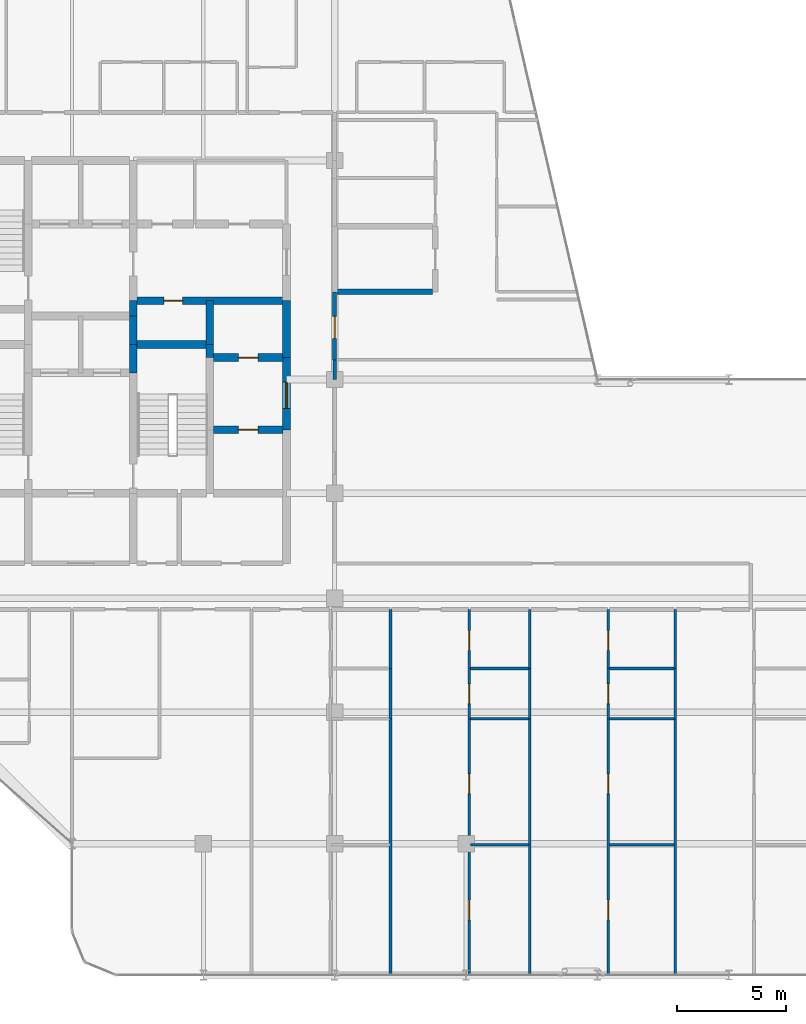
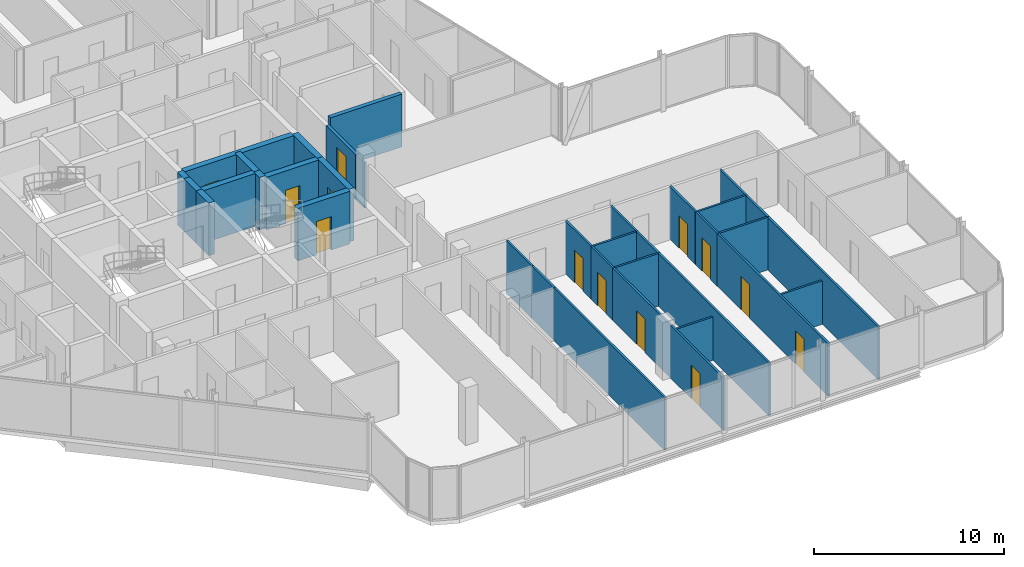
# One storey, part 25 of 29: 35 walls, 13 doors, 13 openings.
"""IFC4 building model written with IfcOpenShell, lengths in metres."""

from ifc_helpers import new_model, si_unit, direction, frame, frame_2d, origin, place, context, subcontext, project, spatial, rectangle, extrude, material, layer, layer_set, type_object, element, fill, save


model = new_model("IFC4")

# Units and contexts
model_context = context("Model", 3, precision=1e-05, world=origin(), true_north=direction((0.0, 1.0)))
body_context = subcontext(model_context, "Body", "Model", "MODEL_VIEW")
ifc_project = project(units=[si_unit("LENGTHUNIT", "METRE"), si_unit("AREAUNIT", "SQUARE_METRE"), si_unit("VOLUMEUNIT", "CUBIC_METRE"), si_unit("PLANEANGLEUNIT", "RADIAN"), si_unit("MASSUNIT", "GRAM", prefix="KILO")], contexts=[model_context])

# Site, building, storey
site_placement = place(None, origin())
site = spatial("IfcSite", under=ifc_project, at=site_placement, CompositionType="ELEMENT")
building_placement = place(site_placement, origin())
building = spatial("IfcBuilding", under=site, at=building_placement, Name="Keshet Zoharim Tower", CompositionType="ELEMENT")
storey_placement = place(building_placement, frame((0.0, 0.0, 222.800048828125)))
storey = spatial("IfcBuildingStorey", under=building, at=storey_placement, Name="L55", CompositionType="ELEMENT", Elevation=222.800048828125)

# Walls
ifc_material_1 = material(Name="Gypsum Plasterboard", Category="gypsum")
ifc_layer_1 = layer(ifc_material_1, 0.14990234375)
ifc_layer_set_1 = layer_set([ifc_layer_1], Name="Gypsum Plasterboard")
wall_type_1 = type_object("IfcWallType", Name="WL-CLIN-150", PredefinedType="STANDARD", material=ifc_layer_set_1)
wall_1_placement = place(storey_placement, frame((33.0, 27.89990234375, 0.0), z_axis=(0.0, 0.0, 1.0), x_axis=(0.0, 1.0, 0.0)))
element("IfcWall", 1, at=wall_1_placement, inside=storey, type_object=wall_type_1, Name="L55 Interior Wall 069 Part 2", PredefinedType="STANDARD", context=body_context, shape_type="SweptSolid", body=[
    extrude(rectangle(XDim=0.89013671875, YDim=0.14990234375, at=frame_2d((0.445068359375, 0.0))), origin(), (0.0, 0.0, 1.0), 2.889892578125),
])
ifc_material_2 = material(Name="Concrete C60/75", Category="concrete")
ifc_layer_2 = layer(ifc_material_2, 0.35009765625)
ifc_layer_set_2 = layer_set([ifc_layer_2], Name="Concrete C60/75")
wall_type_2 = type_object("IfcWallType", Name="WL-CORE-350", PredefinedType="SHEAR", material=ifc_layer_set_2)
for number, where, z_axis, x_axis, name in (
    (2, (23.800048828125, 28.199951171875, 0.0), (0.0, 0.0, 1.0), (0.0, 1.0, 0.0), "L55 Core Shear Wall 040"),
    (3, (23.800048828125, 29.5, 0.0), (0.0, 0.0, 1.0), (0.0, 1.0, 0.0), "L55 Core Shear Wall 041"),
):
    element("IfcWall", number, at=place(storey_placement, frame(where, z_axis=z_axis, x_axis=x_axis)), inside=storey, type_object=wall_type_2, Name=name, PredefinedType="SHEAR", context=body_context, shape_type="SweptSolid", body=[
        extrude(rectangle(XDim=1.300048828125, YDim=0.35009765625, at=frame_2d((0.64990234375, 0.0))), origin(), (0.0, 0.0, 1.0), 3.389892578125),
    ])
wall_2_placement = place(storey_placement, frame((23.800048828125, 30.800048828125, 0.0), z_axis=(0.0, 0.0, 1.0), x_axis=(0.0, 1.0, 0.0)))
element("IfcWall", 4, at=wall_2_placement, inside=storey, type_object=wall_type_2, Name="L55 Core Shear Wall 042", PredefinedType="SHEAR", context=body_context, shape_type="SweptSolid", body=[
    extrude(rectangle(XDim=0.699951171875, YDim=0.35009765625, at=frame_2d((0.35009765625, 0.0))), origin(), (0.0, 0.0, 1.0), 3.389892578125),
])
wall_3_placement = place(storey_placement, frame((27.300048828125, 28.89990234375, 0.0), z_axis=(0.0, 0.0, 1.0), x_axis=(0.0, 1.0, 0.0)))
element("IfcWall", 5, at=wall_3_placement, inside=storey, type_object=wall_type_2, Name="L55 Core Shear Wall 052", PredefinedType="SHEAR", context=body_context, shape_type="SweptSolid", body=[
    extrude(rectangle(XDim=0.60009765625, YDim=0.35009765625, at=frame_2d((0.300048828125, 0.0))), origin(), (0.0, 0.0, 1.0), 3.389892578125),
])
wall_4_placement = place(storey_placement, frame((27.300048828125, 29.5, 0.0), z_axis=(0.0, 0.0, 1.0), x_axis=(0.0, 1.0, 0.0)))
element("IfcWall", 6, at=wall_4_placement, inside=storey, type_object=wall_type_2, Name="L55 Core Shear Wall 053", PredefinedType="SHEAR", context=body_context, shape_type="SweptSolid", body=[
    extrude(rectangle(XDim=2.0, YDim=0.35009765625, at=frame_2d((1.0, 0.0))), origin(), (0.0, 0.0, 1.0), 3.389892578125),
])

# Wall, opening, door
wall_5_placement = place(storey_placement, frame((30.800048828125, 25.60009765625, 0.0), z_axis=(0.0, 0.0, 1.0), x_axis=(0.0, 1.0, 0.0)))
wall_5 = element("IfcWall", 7, at=wall_5_placement, inside=storey, type_object=wall_type_2, Name="L55 Core Shear Wall 061", PredefinedType="SHEAR", context=body_context, shape_type="SweptSolid", body=[
    extrude(rectangle(XDim=3.2998046875, YDim=0.35009765625, at=frame_2d((1.64990234375, 0.0))), origin(), (0.0, 0.0, 1.0), 3.389892578125),
])
opening_1_placement = place(wall_5_placement, frame((0.97802734375, 0.0, 0.0)))
opening_1 = element("IfcOpeningElement", 8, at=opening_1_placement, cuts=wall_5, Name="Opening D-F612", PredefinedType="OPENING", context=body_context, shape_type="SweptSolid", body=[
    extrude(rectangle(XDim=1.199951171875, YDim=2.199951171875, at=frame_2d((0.60009765625, 1.10009765625))), frame((0.0, 0.18505859375, 0.0), z_axis=(0.0, -1.0, 0.0), x_axis=(1.0, 0.0, 0.0)), (0.0, 0.0, 1.0), 0.3701171875),
])
ifc_material_3 = material(Name="Hardwood Timber", Category="wood")
door_type_1 = type_object("IfcDoorType", Name="DR-FD60-120", OperationType="NOTDEFINED", PredefinedType="DOOR", material=ifc_material_3)
door_1_placement = place(opening_1_placement, origin())
door_1 = element("IfcDoor", 9, at=door_1_placement, inside=storey, type_object=door_type_1, Name="L55 East Lift Lobby Fire Door", OperationType="SINGLE_SWING_LEFT", OverallHeight=2.199951171875, OverallWidth=1.199951171875, PredefinedType="DOOR", context=body_context, shape_type="SweptSolid", body=[
    extrude(rectangle(XDim=1.199951171875, YDim=2.199951171875, at=frame_2d((0.60009765625, 1.10009765625))), frame((0.0, 0.02490234375, 0.0), z_axis=(0.0, -1.0, 0.0), x_axis=(1.0, 0.0, 0.0)), (0.0, 0.0, 1.0), 0.050048828125),
])
fill(opening_1, door_1)

# Wall
wall_6_placement = place(storey_placement, frame((30.800048828125, 28.89990234375, 0.0), z_axis=(0.0, 0.0, 1.0), x_axis=(0.0, 1.0, 0.0)))
element("IfcWall", 10, at=wall_6_placement, inside=storey, type_object=wall_type_2, Name="L55 Core Shear Wall 062", PredefinedType="SHEAR", context=body_context, shape_type="SweptSolid", body=[
    extrude(rectangle(XDim=2.60009765625, YDim=0.35009765625, at=frame_2d((1.300048828125, 0.0))), origin(), (0.0, 0.0, 1.0), 3.389892578125),
])

# Wall, opening, door
wall_7_placement = place(storey_placement, frame((27.4599609375, 25.60009765625, 0.0), z_axis=(0.0, 0.0, 1.0), x_axis=(1.0, 0.0, 0.0)))
wall_7 = element("IfcWall", 11, at=wall_7_placement, inside=storey, type_object=wall_type_2, Name="L55 Core Shear Wall 149", PredefinedType="SHEAR", context=body_context, shape_type="SweptSolid", body=[
    extrude(rectangle(XDim=3.179931640625, YDim=0.35009765625, at=frame_2d((1.58984375, 0.0))), origin(), (0.0, 0.0, 1.0), 3.389892578125),
])
opening_2_placement = place(wall_7_placement, frame((1.139892578125, 0.0, 0.0)))
opening_2 = element("IfcOpeningElement", 12, at=opening_2_placement, cuts=wall_7, Name="Opening D-F690", PredefinedType="OPENING", context=body_context, shape_type="SweptSolid", body=[
    extrude(rectangle(XDim=0.89990234375, YDim=2.14990234375, at=frame_2d((0.449951171875, 1.074951171875))), frame((0.0, 0.18505859375, 0.0), z_axis=(0.0, -1.0, 0.0), x_axis=(1.0, 0.0, 0.0)), (0.0, 0.0, 1.0), 0.3701171875),
])
door_type_2 = type_object("IfcDoorType", Name="DR-FD60-090", OperationType="NOTDEFINED", PredefinedType="DOOR", material=ifc_material_3)
door_2_placement = place(opening_2_placement, origin())
door_2 = element("IfcDoor", 13, at=door_2_placement, inside=storey, type_object=door_type_2, Name="L55 Mid-Rise South Overrun Door", OperationType="SINGLE_SWING_LEFT", OverallHeight=2.14990234375, OverallWidth=0.89990234375, PredefinedType="DOOR", context=body_context, shape_type="SweptSolid", body=[
    extrude(rectangle(XDim=0.89990234375, YDim=2.14990234375, at=frame_2d((0.449951171875, 1.074951171875))), frame((0.0, 0.02490234375, 0.0), z_axis=(0.0, -1.0, 0.0), x_axis=(1.0, 0.0, 0.0)), (0.0, 0.0, 1.0), 0.050048828125),
])
fill(opening_2, door_2)

wall_8_placement = place(storey_placement, frame((27.4599609375, 28.89990234375, 0.0), z_axis=(0.0, 0.0, 1.0), x_axis=(1.0, 0.0, 0.0)))
wall_8 = element("IfcWall", 14, at=wall_8_placement, inside=storey, type_object=wall_type_2, Name="L55 Core Shear Wall 156", PredefinedType="SHEAR", context=body_context, shape_type="SweptSolid", body=[
    extrude(rectangle(XDim=3.179931640625, YDim=0.35009765625, at=frame_2d((1.58984375, 0.0))), origin(), (0.0, 0.0, 1.0), 3.389892578125),
])
opening_3_placement = place(wall_8_placement, frame((1.139892578125, 0.0, 0.0)))
opening_3 = element("IfcOpeningElement", 15, at=opening_3_placement, cuts=wall_8, Name="Opening D-F690", PredefinedType="OPENING", context=body_context, shape_type="SweptSolid", body=[
    extrude(rectangle(XDim=0.89990234375, YDim=2.14990234375, at=frame_2d((0.449951171875, 1.074951171875))), frame((0.0, 0.18505859375, 0.0), z_axis=(0.0, -1.0, 0.0), x_axis=(1.0, 0.0, 0.0)), (0.0, 0.0, 1.0), 0.3701171875),
])
door_3_placement = place(opening_3_placement, frame((0.89990234375, 0.0, 0.0), z_axis=(0.0, 0.0, 1.0), x_axis=(-1.0, 0.0, 0.0)))
door_3 = element("IfcDoor", 16, at=door_3_placement, inside=storey, type_object=door_type_2, Name="L55 Mid-Rise North Overrun Door", OperationType="SINGLE_SWING_RIGHT", OverallHeight=2.14990234375, OverallWidth=0.89990234375, PredefinedType="DOOR", context=body_context, shape_type="SweptSolid", body=[
    extrude(rectangle(XDim=0.89990234375, YDim=2.14990234375, at=frame_2d((0.449951171875, 1.074951171875))), frame((0.0, 0.02490234375, 0.0), z_axis=(0.0, -1.0, 0.0), x_axis=(1.0, 0.0, 0.0)), (0.0, 0.0, 1.0), 0.050048828125),
])
fill(opening_3, door_3)

# Wall
wall_9_placement = place(storey_placement, frame((23.9599609375, 29.5, 0.0), z_axis=(0.0, 0.0, 1.0), x_axis=(1.0, 0.0, 0.0)))
element("IfcWall", 17, at=wall_9_placement, inside=storey, type_object=wall_type_2, Name="L55 Core Shear Wall 160", PredefinedType="SHEAR", context=body_context, shape_type="SweptSolid", body=[
    extrude(rectangle(XDim=3.179931640625, YDim=0.35009765625, at=frame_2d((1.58984375, 0.0))), origin(), (0.0, 0.0, 1.0), 3.389892578125),
])

# Wall, opening, door
wall_10_placement = place(storey_placement, frame((23.9599609375, 31.5, 0.0), z_axis=(0.0, 0.0, 1.0), x_axis=(1.0, 0.0, 0.0)))
wall_10 = element("IfcWall", 18, at=wall_10_placement, inside=storey, type_object=wall_type_2, Name="L55 Core Shear Wall 163", PredefinedType="SHEAR", context=body_context, shape_type="SweptSolid", body=[
    extrude(rectangle(XDim=6.679931640625, YDim=0.35009765625, at=frame_2d((3.33984375, 0.0))), origin(), (0.0, 0.0, 1.0), 3.389892578125),
])
opening_4_placement = place(wall_10_placement, frame((1.239990234375, 0.0, 0.0)))
opening_4 = element("IfcOpeningElement", 19, at=opening_4_placement, cuts=wall_10, Name="Opening D-RS85", PredefinedType="OPENING", context=body_context, shape_type="SweptSolid", body=[
    extrude(rectangle(XDim=0.85009765625, YDim=2.10009765625, at=frame_2d((0.425048828125, 1.050048828125))), frame((0.0, 0.18505859375, 0.0), z_axis=(0.0, -1.0, 0.0), x_axis=(1.0, 0.0, 0.0)), (0.0, 0.0, 1.0), 0.3701171875),
])
door_type_3 = type_object("IfcDoorType", Name="DR-RIS-085", OperationType="NOTDEFINED", PredefinedType="DOOR", material=ifc_material_3)
door_4_placement = place(opening_4_placement, origin())
door_4 = element("IfcDoor", 20, at=door_4_placement, inside=storey, type_object=door_type_3, Name="L55 Telecom Riser Access Cupboard Door", OperationType="SINGLE_SWING_LEFT", OverallHeight=2.10009765625, OverallWidth=0.85009765625, PredefinedType="DOOR", context=body_context, shape_type="SweptSolid", body=[
    extrude(rectangle(XDim=0.85009765625, YDim=2.10009765625, at=frame_2d((0.425048828125, 1.050048828125))), frame((0.0, 0.02490234375, 0.0), z_axis=(0.0, -1.0, 0.0), x_axis=(1.0, 0.0, 0.0)), (0.0, 0.0, 1.0), 0.050048828125),
])
fill(opening_4, door_4)

ifc_layer_3 = layer(ifc_material_1, 0.179931640625)
ifc_layer_set_3 = layer_set([ifc_layer_3], Name="Gypsum Plasterboard")
wall_type_3 = type_object("IfcWallType", Name="WL-CORR-180", PredefinedType="STANDARD", material=ifc_layer_set_3)
wall_11_placement = place(storey_placement, frame((33.0, 28.800048828125, 0.0), z_axis=(0.0, 0.0, 1.0), x_axis=(0.0, 1.0, 0.0)))
wall_11 = element("IfcWall", 21, at=wall_11_placement, inside=storey, type_object=wall_type_3, Name="L55 Interior Wall 070", PredefinedType="STANDARD", context=body_context, shape_type="SweptSolid", body=[
    extrude(rectangle(XDim=3.099853515625, YDim=0.179931640625, at=frame_2d((1.5498046875, 0.0))), origin(), (0.0, 0.0, 1.0), 2.889892578125),
])
opening_5_placement = place(wall_11_placement, frame((0.97802734375, 0.0, 0.0)))
opening_5 = element("IfcOpeningElement", 22, at=opening_5_placement, cuts=wall_11, Name="Opening D-F310", PredefinedType="OPENING", context=body_context, shape_type="SweptSolid", body=[
    extrude(rectangle(XDim=1.0, YDim=2.14990234375, at=frame_2d((0.5, 1.074951171875))), frame((0.0, 0.10009765625, 0.0), z_axis=(0.0, -1.0, 0.0), x_axis=(1.0, 0.0, 0.0)), (0.0, 0.0, 1.0), 0.199951171875),
])
door_type_4 = type_object("IfcDoorType", Name="DR-FD30-100", OperationType="NOTDEFINED", PredefinedType="DOOR", material=ifc_material_3)
door_5_placement = place(opening_5_placement, origin())
door_5 = element("IfcDoor", 23, at=door_5_placement, inside=storey, type_object=door_type_4, Name="Apartment 5511 Entrance Door", OperationType="SINGLE_SWING_RIGHT", OverallHeight=2.14990234375, OverallWidth=1.0, PredefinedType="DOOR", context=body_context, shape_type="SweptSolid", body=[
    extrude(rectangle(XDim=1.0, YDim=2.14990234375, at=frame_2d((0.5, 1.074951171875))), frame((0.0, 0.02490234375, 0.0), z_axis=(0.0, -1.0, 0.0), x_axis=(1.0, 0.0, 0.0)), (0.0, 0.0, 1.0), 0.050048828125),
])
fill(opening_5, door_5)

# Walls
ifc_material_4 = material(Name="Concrete C50/60", Category="concrete")
ifc_layer_4 = layer(ifc_material_4, 0.25)
ifc_layer_set_4 = layer_set([ifc_layer_4], Name="Concrete C50/60")
wall_type_4 = type_object("IfcWallType", Name="WL-MAMAD-250", PredefinedType="STANDARD", material=ifc_layer_set_4)
wall_12_placement = place(storey_placement, frame((33.110107421875, 31.89990234375, 0.0), z_axis=(0.0, 0.0, 1.0), x_axis=(1.0, 0.0, 0.0)))
element("IfcWall", 24, at=wall_12_placement, inside=storey, type_object=wall_type_4, Name="L55 Interior Wall 165", PredefinedType="STANDARD", context=body_context, shape_type="SweptSolid", body=[
    extrude(rectangle(XDim=4.35986328125, YDim=0.25, at=frame_2d((2.179931640625, 0.0))), origin(), (0.0, 0.0, 1.0), 3.389892578125),
])
ifc_layer_5 = layer(ifc_material_1, 0.1201171875)
ifc_layer_set_5 = layer_set([ifc_layer_5], Name="Gypsum Plasterboard")
wall_type_5 = type_object("IfcWallType", Name="WL-PART-120", PredefinedType="PARTITIONING", material=ifc_layer_set_5)
wall_13_placement = place(storey_placement, frame((35.550048828125, 0.7099609375, 0.0), z_axis=(0.0, 0.0, 1.0), x_axis=(0.0, 1.0, 0.0)))
element("IfcWall", 25, at=wall_13_placement, inside=storey, type_object=wall_type_5, Name="L55 Interior Wall 078", PredefinedType="PARTITIONING", context=body_context, shape_type="SweptSolid", body=[
    extrude(rectangle(XDim=11.68994140625, YDim=0.1201171875, at=frame_2d((5.844970703125, 0.0))), origin(), (0.0, 0.0, 1.0), 3.389892578125),
])
wall_14_placement = place(storey_placement, frame((35.550048828125, 12.39990234375, 0.0), z_axis=(0.0, 0.0, 1.0), x_axis=(0.0, 1.0, 0.0)))
element("IfcWall", 26, at=wall_14_placement, inside=storey, type_object=wall_type_5, Name="L55 Interior Wall 079", PredefinedType="PARTITIONING", context=body_context, shape_type="SweptSolid", body=[
    extrude(rectangle(XDim=2.300048828125, YDim=0.1201171875, at=frame_2d((1.14990234375, 0.0))), origin(), (0.0, 0.0, 1.0), 3.389892578125),
])

# Wall, openings, doors
wall_15_placement = place(storey_placement, frame((39.14990234375, 0.7099609375, 0.0), z_axis=(0.0, 0.0, 1.0), x_axis=(0.0, 1.0, 0.0)))
wall_15 = element("IfcWall", 27, at=wall_15_placement, inside=storey, type_object=wall_type_5, Name="L55 Interior Wall 086", PredefinedType="PARTITIONING", context=body_context, shape_type="SweptSolid", body=[
    extrude(rectangle(XDim=11.68994140625, YDim=0.1201171875, at=frame_2d((5.844970703125, 0.0))), origin(), (0.0, 0.0, 1.0), 3.389892578125),
])
opening_6_placement = place(wall_15_placement, frame((2.513916015625, 0.0, 0.0)))
opening_6 = element("IfcOpeningElement", 28, at=opening_6_placement, cuts=wall_15, Name="Opening D-IN90", PredefinedType="OPENING", context=body_context, shape_type="SweptSolid", body=[
    extrude(rectangle(XDim=0.89990234375, YDim=2.14990234375, at=frame_2d((0.449951171875, 1.074951171875))), frame((0.0, 0.070068359375, 0.0), z_axis=(0.0, -1.0, 0.0), x_axis=(1.0, 0.0, 0.0)), (0.0, 0.0, 1.0), 0.14013671875),
])
opening_7_placement = place(wall_15_placement, frame((8.280029296875, 0.0, 0.0)))
opening_7 = element("IfcOpeningElement", 29, at=opening_7_placement, cuts=wall_15, Name="Opening D-IN90", PredefinedType="OPENING", context=body_context, shape_type="SweptSolid", body=[
    extrude(rectangle(XDim=0.89990234375, YDim=2.14990234375, at=frame_2d((0.449951171875, 1.074951171875))), frame((0.0, 0.070068359375, 0.0), z_axis=(0.0, -1.0, 0.0), x_axis=(1.0, 0.0, 0.0)), (0.0, 0.0, 1.0), 0.14013671875),
])
door_type_5 = type_object("IfcDoorType", Name="DR-INT-090", OperationType="NOTDEFINED", PredefinedType="DOOR", material=ifc_material_3)
door_6_placement = place(opening_6_placement, origin())
door_6 = element("IfcDoor", 30, at=door_6_placement, inside=storey, type_object=door_type_5, Name="Apartment 5503 Bedroom 1 Door", OperationType="SINGLE_SWING_RIGHT", OverallHeight=2.14990234375, OverallWidth=0.89990234375, PredefinedType="DOOR", context=body_context, shape_type="SweptSolid", body=[
    extrude(rectangle(XDim=0.89990234375, YDim=2.14990234375, at=frame_2d((0.449951171875, 1.074951171875))), frame((0.0, 0.02490234375, 0.0), z_axis=(0.0, -1.0, 0.0), x_axis=(1.0, 0.0, 0.0)), (0.0, 0.0, 1.0), 0.050048828125),
])
fill(opening_6, door_6)
door_7_placement = place(opening_7_placement, origin())
door_7 = element("IfcDoor", 31, at=door_7_placement, inside=storey, type_object=door_type_5, Name="Apartment 5503 Bedroom 2 Door", OperationType="SINGLE_SWING_LEFT", OverallHeight=2.14990234375, OverallWidth=0.89990234375, PredefinedType="DOOR", context=body_context, shape_type="SweptSolid", body=[
    extrude(rectangle(XDim=0.89990234375, YDim=2.14990234375, at=frame_2d((0.449951171875, 1.074951171875))), frame((0.0, 0.02490234375, 0.0), z_axis=(0.0, -1.0, 0.0), x_axis=(1.0, 0.0, 0.0)), (0.0, 0.0, 1.0), 0.050048828125),
])
fill(opening_7, door_7)

# Wall, opening, door
wall_16_placement = place(storey_placement, frame((39.14990234375, 12.39990234375, 0.0), z_axis=(0.0, 0.0, 1.0), x_axis=(0.0, 1.0, 0.0)))
wall_16 = element("IfcWall", 32, at=wall_16_placement, inside=storey, type_object=wall_type_5, Name="L55 Interior Wall 087", PredefinedType="PARTITIONING", context=body_context, shape_type="SweptSolid", body=[
    extrude(rectangle(XDim=2.300048828125, YDim=0.1201171875, at=frame_2d((1.14990234375, 0.0))), origin(), (0.0, 0.0, 1.0), 3.389892578125),
])
opening_8_placement = place(wall_16_placement, frame((0.699951171875, 0.0, 0.0)))
opening_8 = element("IfcOpeningElement", 33, at=opening_8_placement, cuts=wall_16, Name="Opening D-IN90", PredefinedType="OPENING", context=body_context, shape_type="SweptSolid", body=[
    extrude(rectangle(XDim=0.89990234375, YDim=2.14990234375, at=frame_2d((0.449951171875, 1.074951171875))), frame((0.0, 0.070068359375, 0.0), z_axis=(0.0, -1.0, 0.0), x_axis=(1.0, 0.0, 0.0)), (0.0, 0.0, 1.0), 0.14013671875),
])
door_8_placement = place(opening_8_placement, origin())
door_8 = element("IfcDoor", 34, at=door_8_placement, inside=storey, type_object=door_type_5, Name="Apartment 5503 Kitchen Door", OperationType="SINGLE_SWING_RIGHT", OverallHeight=2.14990234375, OverallWidth=0.89990234375, PredefinedType="DOOR", context=body_context, shape_type="SweptSolid", body=[
    extrude(rectangle(XDim=0.89990234375, YDim=2.14990234375, at=frame_2d((0.449951171875, 1.074951171875))), frame((0.0, 0.02490234375, 0.0), z_axis=(0.0, -1.0, 0.0), x_axis=(1.0, 0.0, 0.0)), (0.0, 0.0, 1.0), 0.050048828125),
])
fill(opening_8, door_8)

# Walls
wall_17_placement = place(storey_placement, frame((41.89990234375, 0.7099609375, 0.0), z_axis=(0.0, 0.0, 1.0), x_axis=(0.0, 1.0, 0.0)))
element("IfcWall", 35, at=wall_17_placement, inside=storey, type_object=wall_type_5, Name="L55 Interior Wall 092", PredefinedType="PARTITIONING", context=body_context, shape_type="SweptSolid", body=[
    extrude(rectangle(XDim=11.68994140625, YDim=0.1201171875, at=frame_2d((5.844970703125, 0.0))), origin(), (0.0, 0.0, 1.0), 3.389892578125),
])
wall_18_placement = place(storey_placement, frame((41.89990234375, 12.39990234375, 0.0), z_axis=(0.0, 0.0, 1.0), x_axis=(0.0, 1.0, 0.0)))
element("IfcWall", 36, at=wall_18_placement, inside=storey, type_object=wall_type_5, Name="L55 Interior Wall 093", PredefinedType="PARTITIONING", context=body_context, shape_type="SweptSolid", body=[
    extrude(rectangle(XDim=2.300048828125, YDim=0.1201171875, at=frame_2d((1.14990234375, 0.0))), origin(), (0.0, 0.0, 1.0), 3.389892578125),
])

# Wall, openings, doors
wall_19_placement = place(storey_placement, frame((45.5, 0.7099609375, 0.0), z_axis=(0.0, 0.0, 1.0), x_axis=(0.0, 1.0, 0.0)))
wall_19 = element("IfcWall", 37, at=wall_19_placement, inside=storey, type_object=wall_type_5, Name="L55 Interior Wall 095", PredefinedType="PARTITIONING", context=body_context, shape_type="SweptSolid", body=[
    extrude(rectangle(XDim=11.68994140625, YDim=0.1201171875, at=frame_2d((5.844970703125, 0.0))), origin(), (0.0, 0.0, 1.0), 3.389892578125),
])
opening_9_placement = place(wall_19_placement, frame((2.513916015625, 0.0, 0.0)))
opening_9 = element("IfcOpeningElement", 38, at=opening_9_placement, cuts=wall_19, Name="Opening D-IN90", PredefinedType="OPENING", context=body_context, shape_type="SweptSolid", body=[
    extrude(rectangle(XDim=0.89990234375, YDim=2.14990234375, at=frame_2d((0.449951171875, 1.074951171875))), frame((0.0, 0.070068359375, 0.0), z_axis=(0.0, -1.0, 0.0), x_axis=(1.0, 0.0, 0.0)), (0.0, 0.0, 1.0), 0.14013671875),
])
opening_10_placement = place(wall_19_placement, frame((8.280029296875, 0.0, 0.0)))
opening_10 = element("IfcOpeningElement", 39, at=opening_10_placement, cuts=wall_19, Name="Opening D-IN90", PredefinedType="OPENING", context=body_context, shape_type="SweptSolid", body=[
    extrude(rectangle(XDim=0.89990234375, YDim=2.14990234375, at=frame_2d((0.449951171875, 1.074951171875))), frame((0.0, 0.070068359375, 0.0), z_axis=(0.0, -1.0, 0.0), x_axis=(1.0, 0.0, 0.0)), (0.0, 0.0, 1.0), 0.14013671875),
])
door_9_placement = place(opening_9_placement, origin())
door_9 = element("IfcDoor", 40, at=door_9_placement, inside=storey, type_object=door_type_5, Name="Apartment 5504 Bedroom 1 Door", OperationType="SINGLE_SWING_RIGHT", OverallHeight=2.14990234375, OverallWidth=0.89990234375, PredefinedType="DOOR", context=body_context, shape_type="SweptSolid", body=[
    extrude(rectangle(XDim=0.89990234375, YDim=2.14990234375, at=frame_2d((0.449951171875, 1.074951171875))), frame((0.0, 0.02490234375, 0.0), z_axis=(0.0, -1.0, 0.0), x_axis=(1.0, 0.0, 0.0)), (0.0, 0.0, 1.0), 0.050048828125),
])
fill(opening_9, door_9)
door_10_placement = place(opening_10_placement, origin())
door_10 = element("IfcDoor", 41, at=door_10_placement, inside=storey, type_object=door_type_5, Name="Apartment 5504 Bedroom 2 Door", OperationType="SINGLE_SWING_LEFT", OverallHeight=2.14990234375, OverallWidth=0.89990234375, PredefinedType="DOOR", context=body_context, shape_type="SweptSolid", body=[
    extrude(rectangle(XDim=0.89990234375, YDim=2.14990234375, at=frame_2d((0.449951171875, 1.074951171875))), frame((0.0, 0.02490234375, 0.0), z_axis=(0.0, -1.0, 0.0), x_axis=(1.0, 0.0, 0.0)), (0.0, 0.0, 1.0), 0.050048828125),
])
fill(opening_10, door_10)

# Wall, opening, door
wall_20_placement = place(storey_placement, frame((45.5, 12.39990234375, 0.0), z_axis=(0.0, 0.0, 1.0), x_axis=(0.0, 1.0, 0.0)))
wall_20 = element("IfcWall", 42, at=wall_20_placement, inside=storey, type_object=wall_type_5, Name="L55 Interior Wall 096", PredefinedType="PARTITIONING", context=body_context, shape_type="SweptSolid", body=[
    extrude(rectangle(XDim=2.300048828125, YDim=0.1201171875, at=frame_2d((1.14990234375, 0.0))), origin(), (0.0, 0.0, 1.0), 3.389892578125),
])
opening_11_placement = place(wall_20_placement, frame((0.699951171875, 0.0, 0.0)))
opening_11 = element("IfcOpeningElement", 43, at=opening_11_placement, cuts=wall_20, Name="Opening D-IN90", PredefinedType="OPENING", context=body_context, shape_type="SweptSolid", body=[
    extrude(rectangle(XDim=0.89990234375, YDim=2.14990234375, at=frame_2d((0.449951171875, 1.074951171875))), frame((0.0, 0.070068359375, 0.0), z_axis=(0.0, -1.0, 0.0), x_axis=(1.0, 0.0, 0.0)), (0.0, 0.0, 1.0), 0.14013671875),
])
door_11_placement = place(opening_11_placement, origin())
door_11 = element("IfcDoor", 44, at=door_11_placement, inside=storey, type_object=door_type_5, Name="Apartment 5504 Kitchen Door", OperationType="SINGLE_SWING_RIGHT", OverallHeight=2.14990234375, OverallWidth=0.89990234375, PredefinedType="DOOR", context=body_context, shape_type="SweptSolid", body=[
    extrude(rectangle(XDim=0.89990234375, YDim=2.14990234375, at=frame_2d((0.449951171875, 1.074951171875))), frame((0.0, 0.02490234375, 0.0), z_axis=(0.0, -1.0, 0.0), x_axis=(1.0, 0.0, 0.0)), (0.0, 0.0, 1.0), 0.050048828125),
])
fill(opening_11, door_11)

# Walls
wall_21_placement = place(storey_placement, frame((48.550048828125, 0.7099609375, 0.0), z_axis=(0.0, 0.0, 1.0), x_axis=(0.0, 1.0, 0.0)))
element("IfcWall", 45, at=wall_21_placement, inside=storey, type_object=wall_type_5, Name="L55 Interior Wall 098", PredefinedType="PARTITIONING", context=body_context, shape_type="SweptSolid", body=[
    extrude(rectangle(XDim=11.68994140625, YDim=0.1201171875, at=frame_2d((5.844970703125, 0.0))), origin(), (0.0, 0.0, 1.0), 3.389892578125),
])
wall_22_placement = place(storey_placement, frame((48.550048828125, 12.39990234375, 0.0), z_axis=(0.0, 0.0, 1.0), x_axis=(0.0, 1.0, 0.0)))
element("IfcWall", 46, at=wall_22_placement, inside=storey, type_object=wall_type_5, Name="L55 Interior Wall 099", PredefinedType="PARTITIONING", context=body_context, shape_type="SweptSolid", body=[
    extrude(rectangle(XDim=2.300048828125, YDim=0.1201171875, at=frame_2d((1.14990234375, 0.0))), origin(), (0.0, 0.0, 1.0), 3.389892578125),
])
wall_23_placement = place(storey_placement, frame((39.205078125, 6.64990234375, 0.0), z_axis=(0.0, 0.0, 1.0), x_axis=(1.0, 0.0, 0.0)))
element("IfcWall", 47, at=wall_23_placement, inside=storey, type_object=wall_type_5, Name="L55 Interior Wall 106", PredefinedType="PARTITIONING", context=body_context, shape_type="SweptSolid", body=[
    extrude(rectangle(XDim=2.659912109375, YDim=0.1201171875, at=frame_2d((1.330078125, 0.0))), origin(), (0.0, 0.0, 1.0), 2.7900390625),
])
wall_24_placement = place(storey_placement, frame((45.554931640625, 6.64990234375, 0.0), z_axis=(0.0, 0.0, 1.0), x_axis=(1.0, 0.0, 0.0)))
element("IfcWall", 48, at=wall_24_placement, inside=storey, type_object=wall_type_5, Name="L55 Interior Wall 107", PredefinedType="PARTITIONING", context=body_context, shape_type="SweptSolid", body=[
    extrude(rectangle(XDim=2.949951171875, YDim=0.1201171875, at=frame_2d((1.47509765625, 0.0))), origin(), (0.0, 0.0, 1.0), 2.7900390625),
])
wall_25_placement = place(storey_placement, frame((39.205078125, 12.39990234375, 0.0), z_axis=(0.0, 0.0, 1.0), x_axis=(1.0, 0.0, 0.0)))
element("IfcWall", 49, at=wall_25_placement, inside=storey, type_object=wall_type_5, Name="L55 Interior Wall 112", PredefinedType="PARTITIONING", context=body_context, shape_type="SweptSolid", body=[
    extrude(rectangle(XDim=2.659912109375, YDim=0.1201171875, at=frame_2d((1.330078125, 0.0))), origin(), (0.0, 0.0, 1.0), 3.389892578125),
])
wall_26_placement = place(storey_placement, frame((45.554931640625, 12.39990234375, 0.0), z_axis=(0.0, 0.0, 1.0), x_axis=(1.0, 0.0, 0.0)))
element("IfcWall", 50, at=wall_26_placement, inside=storey, type_object=wall_type_5, Name="L55 Interior Wall 113", PredefinedType="PARTITIONING", context=body_context, shape_type="SweptSolid", body=[
    extrude(rectangle(XDim=2.949951171875, YDim=0.1201171875, at=frame_2d((1.47509765625, 0.0))), origin(), (0.0, 0.0, 1.0), 3.389892578125),
])
ifc_layer_6 = layer(ifc_material_1, 0.1201171875)
ifc_layer_set_6 = layer_set([ifc_layer_6], Name="Gypsum Plasterboard")
wall_type_6 = type_object("IfcWallType", Name="WL-WET-120", PredefinedType="PARTITIONING", material=ifc_layer_set_6)
wall_27_placement = place(storey_placement, frame((35.550048828125, 14.699951171875, 0.0), z_axis=(0.0, 0.0, 1.0), x_axis=(0.0, 1.0, 0.0)))
element("IfcWall", 51, at=wall_27_placement, inside=storey, type_object=wall_type_6, Name="L55 Interior Wall 080", PredefinedType="PARTITIONING", context=body_context, shape_type="SweptSolid", body=[
    extrude(rectangle(XDim=2.699951171875, YDim=0.1201171875, at=frame_2d((1.35009765625, 0.0))), origin(), (0.0, 0.0, 1.0), 3.389892578125),
])

# Wall, opening, door
wall_28_placement = place(storey_placement, frame((39.14990234375, 14.699951171875, 0.0), z_axis=(0.0, 0.0, 1.0), x_axis=(0.0, 1.0, 0.0)))
wall_28 = element("IfcWall", 52, at=wall_28_placement, inside=storey, type_object=wall_type_6, Name="L55 Interior Wall 088", PredefinedType="PARTITIONING", context=body_context, shape_type="SweptSolid", body=[
    extrude(rectangle(XDim=2.699951171875, YDim=0.1201171875, at=frame_2d((1.35009765625, 0.0))), origin(), (0.0, 0.0, 1.0), 3.389892578125),
])
opening_12_placement = place(wall_28_placement, frame((0.827880859375, 0.0, 0.0)))
opening_12 = element("IfcOpeningElement", 53, at=opening_12_placement, cuts=wall_28, Name="Opening D-WT90", PredefinedType="OPENING", context=body_context, shape_type="SweptSolid", body=[
    extrude(rectangle(XDim=0.89990234375, YDim=2.10009765625, at=frame_2d((0.449951171875, 1.050048828125))), frame((0.0, 0.070068359375, 0.0), z_axis=(0.0, -1.0, 0.0), x_axis=(1.0, 0.0, 0.0)), (0.0, 0.0, 1.0), 0.14013671875),
])
door_type_6 = type_object("IfcDoorType", Name="DR-WET-090", OperationType="NOTDEFINED", PredefinedType="DOOR", material=ifc_material_3)
door_12_placement = place(opening_12_placement, origin())
door_12 = element("IfcDoor", 54, at=door_12_placement, inside=storey, type_object=door_type_6, Name="Apartment 5503 Bathroom Door", OperationType="SINGLE_SWING_LEFT", OverallHeight=2.10009765625, OverallWidth=0.89990234375, PredefinedType="DOOR", context=body_context, shape_type="SweptSolid", body=[
    extrude(rectangle(XDim=0.89990234375, YDim=2.10009765625, at=frame_2d((0.449951171875, 1.050048828125))), frame((0.0, 0.02490234375, 0.0), z_axis=(0.0, -1.0, 0.0), x_axis=(1.0, 0.0, 0.0)), (0.0, 0.0, 1.0), 0.050048828125),
])
fill(opening_12, door_12)

# Wall
wall_29_placement = place(storey_placement, frame((41.89990234375, 14.699951171875, 0.0), z_axis=(0.0, 0.0, 1.0), x_axis=(0.0, 1.0, 0.0)))
element("IfcWall", 55, at=wall_29_placement, inside=storey, type_object=wall_type_6, Name="L55 Interior Wall 094", PredefinedType="PARTITIONING", context=body_context, shape_type="SweptSolid", body=[
    extrude(rectangle(XDim=2.699951171875, YDim=0.1201171875, at=frame_2d((1.35009765625, 0.0))), origin(), (0.0, 0.0, 1.0), 3.389892578125),
])

# Wall, opening, door
wall_30_placement = place(storey_placement, frame((45.5, 14.699951171875, 0.0), z_axis=(0.0, 0.0, 1.0), x_axis=(0.0, 1.0, 0.0)))
wall_30 = element("IfcWall", 56, at=wall_30_placement, inside=storey, type_object=wall_type_6, Name="L55 Interior Wall 097", PredefinedType="PARTITIONING", context=body_context, shape_type="SweptSolid", body=[
    extrude(rectangle(XDim=2.699951171875, YDim=0.1201171875, at=frame_2d((1.35009765625, 0.0))), origin(), (0.0, 0.0, 1.0), 3.389892578125),
])
opening_13_placement = place(wall_30_placement, frame((0.827880859375, 0.0, 0.0)))
opening_13 = element("IfcOpeningElement", 57, at=opening_13_placement, cuts=wall_30, Name="Opening D-WT90", PredefinedType="OPENING", context=body_context, shape_type="SweptSolid", body=[
    extrude(rectangle(XDim=0.89990234375, YDim=2.10009765625, at=frame_2d((0.449951171875, 1.050048828125))), frame((0.0, 0.070068359375, 0.0), z_axis=(0.0, -1.0, 0.0), x_axis=(1.0, 0.0, 0.0)), (0.0, 0.0, 1.0), 0.14013671875),
])
door_13_placement = place(opening_13_placement, origin())
door_13 = element("IfcDoor", 58, at=door_13_placement, inside=storey, type_object=door_type_6, Name="Apartment 5504 Bathroom Door", OperationType="SINGLE_SWING_LEFT", OverallHeight=2.10009765625, OverallWidth=0.89990234375, PredefinedType="DOOR", context=body_context, shape_type="SweptSolid", body=[
    extrude(rectangle(XDim=0.89990234375, YDim=2.10009765625, at=frame_2d((0.449951171875, 1.050048828125))), frame((0.0, 0.02490234375, 0.0), z_axis=(0.0, -1.0, 0.0), x_axis=(1.0, 0.0, 0.0)), (0.0, 0.0, 1.0), 0.050048828125),
])
fill(opening_13, door_13)

# Walls
wall_31_placement = place(storey_placement, frame((48.550048828125, 14.699951171875, 0.0), z_axis=(0.0, 0.0, 1.0), x_axis=(0.0, 1.0, 0.0)))
element("IfcWall", 59, at=wall_31_placement, inside=storey, type_object=wall_type_6, Name="L55 Interior Wall 100", PredefinedType="PARTITIONING", context=body_context, shape_type="SweptSolid", body=[
    extrude(rectangle(XDim=2.699951171875, YDim=0.1201171875, at=frame_2d((1.35009765625, 0.0))), origin(), (0.0, 0.0, 1.0), 3.389892578125),
])
wall_32_placement = place(storey_placement, frame((39.205078125, 14.699951171875, 0.0), z_axis=(0.0, 0.0, 1.0), x_axis=(1.0, 0.0, 0.0)))
element("IfcWall", 60, at=wall_32_placement, inside=storey, type_object=wall_type_6, Name="L55 Interior Wall 117", PredefinedType="PARTITIONING", context=body_context, shape_type="SweptSolid", body=[
    extrude(rectangle(XDim=2.659912109375, YDim=0.1201171875, at=frame_2d((1.330078125, 0.0))), origin(), (0.0, 0.0, 1.0), 3.389892578125),
])
wall_33_placement = place(storey_placement, frame((45.554931640625, 14.699951171875, 0.0), z_axis=(0.0, 0.0, 1.0), x_axis=(1.0, 0.0, 0.0)))
element("IfcWall", 61, at=wall_33_placement, inside=storey, type_object=wall_type_6, Name="L55 Interior Wall 118", PredefinedType="PARTITIONING", context=body_context, shape_type="SweptSolid", body=[
    extrude(rectangle(XDim=2.949951171875, YDim=0.1201171875, at=frame_2d((1.47509765625, 0.0))), origin(), (0.0, 0.0, 1.0), 3.389892578125),
])

save(model, "model.ifc")
